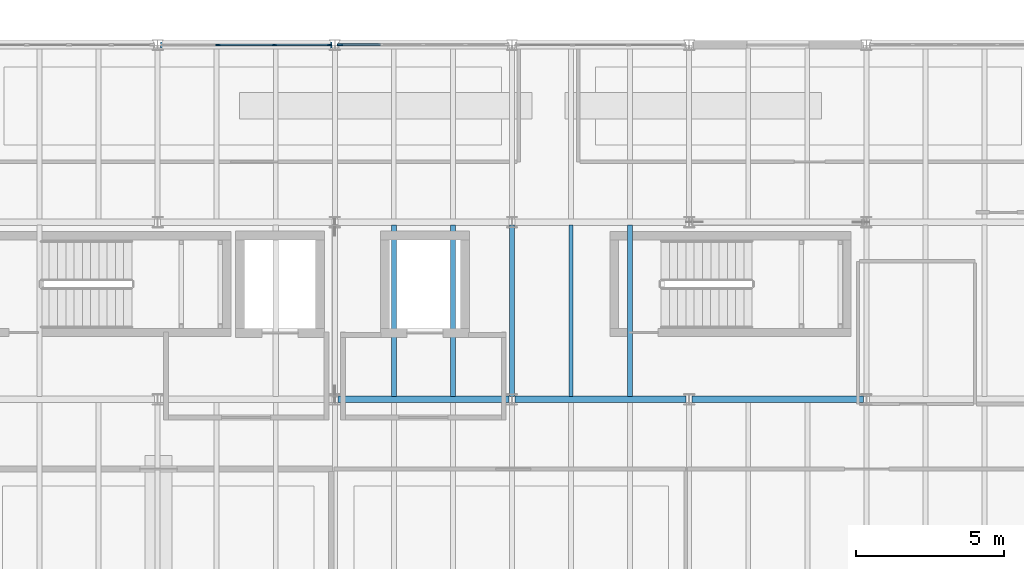
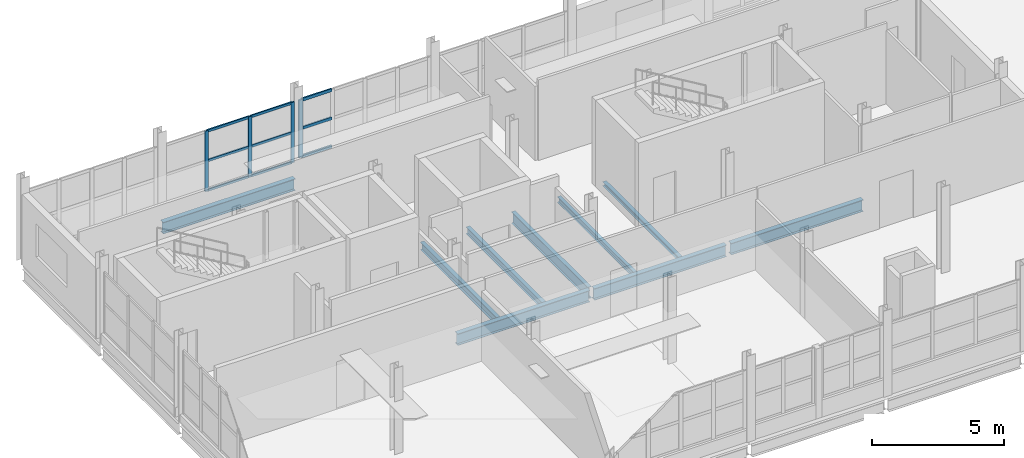
# One storey, part 18 of 45: 13 members, 9 beams, 2 elements without a shape of their own.
"""IFC4 building model written with IfcOpenShell, lengths in metres."""

from ifc_helpers import new_model, si_unit, direction, frame, origin, origin_2d, place, context, subcontext, project, spatial, rectangle, i_section, extrude, material, material_profile, profile_set, type_object, element, aggregate, save


model = new_model("IFC4")

# Units and contexts
model_context = context("Model", 3, precision=1e-05, world=origin(), true_north=direction((0.0, 1.0)))
body_context = subcontext(model_context, "Body", "Model", "MODEL_VIEW")
ifc_project = project(units=[si_unit("LENGTHUNIT", "METRE"), si_unit("AREAUNIT", "SQUARE_METRE"), si_unit("VOLUMEUNIT", "CUBIC_METRE"), si_unit("PLANEANGLEUNIT", "RADIAN"), si_unit("MASSUNIT", "GRAM", prefix="KILO")], contexts=[model_context])

# Site, building, storey
site_placement = place(None, origin())
site = spatial("IfcSite", under=ifc_project, at=site_placement, CompositionType="ELEMENT")
building_placement = place(site_placement, origin())
building = spatial("IfcBuilding", under=site, at=building_placement, Name="Siltcreek Boulevard Central Fire Station", CompositionType="ELEMENT")
storey_placement = place(building_placement, frame((0.0, 0.0, 10.0)))
storey = spatial("IfcBuildingStorey", under=building, at=storey_placement, Name="L03", CompositionType="ELEMENT", Elevation=10.0)

# Beams
ifc_material_1 = material(Name="Structural steel ASTM A992 Gr50", Category="steel")
ifc_material_profile_1 = material_profile(ifc_material_1, i_section(OverallWidth=0.2109375, OverallDepth=0.5390625, WebThickness=0.01171875, FlangeThickness=0.018798828125, at=origin_2d()), Name="W530X109")
ifc_profile_set_1 = profile_set([ifc_material_profile_1], Name="Structural steel ASTM A992 Gr50")
beam_type_1 = type_object("IfcBeamType", Name="BM_W530X109", PredefinedType="BEAM", material=ifc_profile_set_1)
for number, where, z_axis, x_axis, name in (
    (1, (136.300048828125, 100.199951171875, -0.549560546875), (1.0, 0.0, 0.0), (0.0, 1.0, 0.0), "L03 primary steel girder GX-0416"),
    (2, (142.300048828125, 100.199951171875, -0.549560546875), (1.0, 0.0, 0.0), (0.0, 1.0, 0.0), "L03 primary steel girder GX-0417"),
    (3, (148.300048828125, 100.199951171875, -0.549560546875), (1.0, 0.0, 0.0), (0.0, 1.0, 0.0), "L03 primary steel girder GX-0418"),
    (4, (130.300048828125, 112.199951171875, -0.549560546875), (1.0, 0.0, 0.0), (0.0, 1.0, 0.0), "L03 primary steel girder GX-0429"),
):
    element("IfcBeam", number, at=place(storey_placement, frame(where, z_axis=z_axis, x_axis=x_axis)), inside=storey, type_object=beam_type_1, Name=name, PredefinedType="BEAM", context=body_context, shape_type="SweptSolid", body=[
        extrude(i_section(OverallWidth=0.2109375, OverallDepth=0.5390625, WebThickness=0.01171875, FlangeThickness=0.018798828125, at=origin_2d()), origin(), (0.0, 0.0, 1.0), 5.800048828125),
    ])
ifc_material_profile_2 = material_profile(ifc_material_1, i_section(OverallWidth=0.166015625, OverallDepth=0.534912109375, WebThickness=0.01025390625, FlangeThickness=0.0166015625, at=origin_2d()), Name="W530X85")
ifc_profile_set_2 = profile_set([ifc_material_profile_2], Name="Structural steel ASTM A992 Gr50")
beam_type_2 = type_object("IfcBeamType", Name="BM_W530X85", PredefinedType="BEAM", material=ifc_profile_set_2)
beam_1_placement = place(storey_placement, frame((142.199951171875, 100.300048828125, -0.547607421875), z_axis=(0.0, 1.0, 0.0), x_axis=(-1.0, 0.0, 0.0)))
element("IfcBeam", 5, at=beam_1_placement, inside=storey, type_object=beam_type_2, Name="L03 primary steel girder GY-0448", PredefinedType="BEAM", context=body_context, shape_type="SweptSolid", body=[
    extrude(i_section(OverallWidth=0.166015625, OverallDepth=0.534912109375, WebThickness=0.01025390625, FlangeThickness=0.0166015625, at=origin_2d()), origin(), (0.0, 0.0, 1.0), 5.800048828125),
])

# Curtain wall, members
ifc_material_2 = material(Name="Anodized aluminum and low-E insulated glazing", Category="aluminium")
curtain_wall_type_1 = type_object("IfcCurtainWallType", Name="CW_SYS_08", PredefinedType="USERDEFINED", material=ifc_material_2)
curtain_wall_1_placement = place(storey_placement, origin())
curtain_wall_1 = element("IfcCurtainWall", 6, at=curtain_wall_1_placement, inside=storey, type_object=curtain_wall_type_1, Name="L03 V5 unitised curtain wall CW-157", ObjectType="CURTAIN WALL", PredefinedType="USERDEFINED")
ifc_material_3 = material(Name="Anodized 6063-T6 aluminum framing", Category="aluminium")
ifc_material_profile_3 = material_profile(ifc_material_3, rectangle(XDim=0.06005859375, YDim=0.14990234375, at=origin_2d()), Name="MULL60X150")
ifc_profile_set_3 = profile_set([ifc_material_profile_3], Name="Anodized 6063-T6 aluminum framing")
member_type_1 = type_object("IfcMemberType", Name="CWM_60X150", PredefinedType="MULLION", material=ifc_profile_set_3)
member_1_placement = place(storey_placement, frame((136.02490234375, 112.199951171875, 0.43994140625), z_axis=(0.0, 0.0, 1.0), x_axis=(0.0, -1.0, 0.0)))
member_1 = element("IfcMember", 7, at=member_1_placement, type_object=member_type_1, Name="CW-157 mullion 1", PredefinedType="MULLION", context=body_context, shape_type="SweptSolid", body=[
    extrude(rectangle(XDim=0.06005859375, YDim=0.14990234375, at=origin_2d()), origin(), (0.0, 0.0, 1.0), 2.80908203125),
])
member_2_placement = place(storey_placement, frame((134.151611328125, 112.199951171875, 0.43994140625), z_axis=(0.0, 0.0, 1.0), x_axis=(0.0, -1.0, 0.0)))
member_2 = element("IfcMember", 8, at=member_2_placement, type_object=member_type_1, Name="CW-157 mullion 2", PredefinedType="MULLION", context=body_context, shape_type="SweptSolid", body=[
    extrude(rectangle(XDim=0.06005859375, YDim=0.14990234375, at=origin_2d()), origin(), (0.0, 0.0, 1.0), 2.80908203125),
])
member_3_placement = place(storey_placement, frame((132.248291015625, 112.199951171875, 0.43994140625), z_axis=(0.0, 0.0, 1.0), x_axis=(0.0, -1.0, 0.0)))
member_3 = element("IfcMember", 9, at=member_3_placement, type_object=member_type_1, Name="CW-157 mullion 3", PredefinedType="MULLION", context=body_context, shape_type="SweptSolid", body=[
    extrude(rectangle(XDim=0.06005859375, YDim=0.14990234375, at=origin_2d()), origin(), (0.0, 0.0, 1.0), 2.80908203125),
])

# Curtain wall, member
curtain_wall_type_2 = type_object("IfcCurtainWallType", Name="CW_SYS_09", PredefinedType="USERDEFINED", material=ifc_material_2)
curtain_wall_2_placement = place(storey_placement, origin())
curtain_wall_2 = element("IfcCurtainWall", 10, at=curtain_wall_2_placement, inside=storey, type_object=curtain_wall_type_2, Name="L03 V5 unitised curtain wall CW-158", ObjectType="CURTAIN WALL", PredefinedType="USERDEFINED")
ifc_material_profile_4 = material_profile(ifc_material_3, rectangle(XDim=0.06494140625, YDim=0.175048828125, at=origin_2d()), Name="MULL65X175")
ifc_profile_set_4 = profile_set([ifc_material_profile_4], Name="Anodized 6063-T6 aluminum framing")
member_type_2 = type_object("IfcMemberType", Name="CWM_65X175", PredefinedType="MULLION", material=ifc_profile_set_4)
member_4_placement = place(storey_placement, frame((136.37744140625, 112.199951171875, 0.56005859375), z_axis=(0.0, 0.0, 1.0), x_axis=(0.0, -1.0, 0.0)))
member_4 = element("IfcMember", 11, at=member_4_placement, type_object=member_type_2, Name="CW-158 mullion 5", PredefinedType="MULLION", context=body_context, shape_type="SweptSolid", body=[
    extrude(rectangle(XDim=0.06494140625, YDim=0.175048828125, at=origin_2d()), origin(), (0.0, 0.0, 1.0), 2.68896484375),
])

# Member
ifc_material_profile_5 = material_profile(ifc_material_3, rectangle(XDim=0.06005859375, YDim=0.114990234375, at=origin_2d()), Name="TRAN60X115")
ifc_profile_set_5 = profile_set([ifc_material_profile_5], Name="Anodized 6063-T6 aluminum framing")
member_type_3 = type_object("IfcMemberType", Name="CWT_60X115", PredefinedType="USERDEFINED", material=ifc_profile_set_5)
member_5_placement = place(storey_placement, frame((135.9951171875, 112.199951171875, 0.469970703125), z_axis=(-1.0, 0.0, 0.0), x_axis=(0.0, -1.0, 0.0)))
member_5 = element("IfcMember", 12, at=member_5_placement, type_object=member_type_3, Name="CW-157 transom 1.1", ObjectType="TRANSOM", PredefinedType="USERDEFINED", context=body_context, shape_type="SweptSolid", body=[
    extrude(rectangle(XDim=0.06005859375, YDim=0.114990234375, at=origin_2d()), origin(), (0.0, 0.0, 1.0), 1.8134765625),
])

member_6_placement = place(storey_placement, frame((135.9951171875, 112.199951171875, 1.844482421875), z_axis=(-1.0, 0.0, 0.0), x_axis=(0.0, -1.0, 0.0)))
member_6 = element("IfcMember", 13, at=member_6_placement, type_object=member_type_3, Name="CW-157 transom 1.2", ObjectType="TRANSOM", PredefinedType="USERDEFINED", context=body_context, shape_type="SweptSolid", body=[
    extrude(rectangle(XDim=0.06005859375, YDim=0.114990234375, at=origin_2d()), origin(), (0.0, 0.0, 1.0), 1.8134765625),
])

member_7_placement = place(storey_placement, frame((135.9951171875, 112.199951171875, 3.218994140625), z_axis=(-1.0, 0.0, 0.0), x_axis=(0.0, -1.0, 0.0)))
member_7 = element("IfcMember", 14, at=member_7_placement, type_object=member_type_3, Name="CW-157 transom 1.3", ObjectType="TRANSOM", PredefinedType="USERDEFINED", context=body_context, shape_type="SweptSolid", body=[
    extrude(rectangle(XDim=0.06005859375, YDim=0.114990234375, at=origin_2d()), origin(), (0.0, 0.0, 1.0), 1.8134765625),
])

member_8_placement = place(storey_placement, frame((134.12158203125, 112.199951171875, 0.469970703125), z_axis=(-1.0, 0.0, 0.0), x_axis=(0.0, -1.0, 0.0)))
member_8 = element("IfcMember", 15, at=member_8_placement, type_object=member_type_3, Name="CW-157 transom 2.1", ObjectType="TRANSOM", PredefinedType="USERDEFINED", context=body_context, shape_type="SweptSolid", body=[
    extrude(rectangle(XDim=0.06005859375, YDim=0.114990234375, at=origin_2d()), origin(), (0.0, 0.0, 1.0), 1.84326171875),
])

member_9_placement = place(storey_placement, frame((134.12158203125, 112.199951171875, 1.844482421875), z_axis=(-1.0, 0.0, 0.0), x_axis=(0.0, -1.0, 0.0)))
member_9 = element("IfcMember", 16, at=member_9_placement, type_object=member_type_3, Name="CW-157 transom 2.2", ObjectType="TRANSOM", PredefinedType="USERDEFINED", context=body_context, shape_type="SweptSolid", body=[
    extrude(rectangle(XDim=0.06005859375, YDim=0.114990234375, at=origin_2d()), origin(), (0.0, 0.0, 1.0), 1.84326171875),
])

member_10_placement = place(storey_placement, frame((134.12158203125, 112.199951171875, 3.218994140625), z_axis=(-1.0, 0.0, 0.0), x_axis=(0.0, -1.0, 0.0)))
member_10 = element("IfcMember", 17, at=member_10_placement, type_object=member_type_3, Name="CW-157 transom 2.3", ObjectType="TRANSOM", PredefinedType="USERDEFINED", context=body_context, shape_type="SweptSolid", body=[
    extrude(rectangle(XDim=0.06005859375, YDim=0.114990234375, at=origin_2d()), origin(), (0.0, 0.0, 1.0), 1.84326171875),
])

aggregate(curtain_wall_1, [member_1, member_2, member_3, member_5, member_6, member_7, member_8, member_9, member_10])

ifc_material_profile_6 = material_profile(ifc_material_3, rectangle(XDim=0.06494140625, YDim=0.135009765625, at=origin_2d()), Name="TRAN65X135")
ifc_profile_set_6 = profile_set([ifc_material_profile_6], Name="Anodized 6063-T6 aluminum framing")
member_type_4 = type_object("IfcMemberType", Name="CWT_65X135", PredefinedType="USERDEFINED", material=ifc_profile_set_6)
member_11_placement = place(storey_placement, frame((137.739990234375, 112.199951171875, 0.592529296875), z_axis=(-1.0, 0.0, 0.0), x_axis=(0.0, -1.0, 0.0)))
member_11 = element("IfcMember", 18, at=member_11_placement, type_object=member_type_4, Name="CW-158 transom 4.1", ObjectType="TRANSOM", PredefinedType="USERDEFINED", context=body_context, shape_type="SweptSolid", body=[
    extrude(rectangle(XDim=0.06494140625, YDim=0.135009765625, at=origin_2d()), origin(), (0.0, 0.0, 1.0), 1.330078125),
])

member_12_placement = place(storey_placement, frame((137.739990234375, 112.199951171875, 1.904541015625), z_axis=(-1.0, 0.0, 0.0), x_axis=(0.0, -1.0, 0.0)))
member_12 = element("IfcMember", 19, at=member_12_placement, type_object=member_type_4, Name="CW-158 transom 4.2", ObjectType="TRANSOM", PredefinedType="USERDEFINED", context=body_context, shape_type="SweptSolid", body=[
    extrude(rectangle(XDim=0.06494140625, YDim=0.135009765625, at=origin_2d()), origin(), (0.0, 0.0, 1.0), 1.330078125),
])

member_13_placement = place(storey_placement, frame((137.739990234375, 112.199951171875, 3.216552734375), z_axis=(-1.0, 0.0, 0.0), x_axis=(0.0, -1.0, 0.0)))
member_13 = element("IfcMember", 20, at=member_13_placement, type_object=member_type_4, Name="CW-158 transom 4.3", ObjectType="TRANSOM", PredefinedType="USERDEFINED", context=body_context, shape_type="SweptSolid", body=[
    extrude(rectangle(XDim=0.06494140625, YDim=0.135009765625, at=origin_2d()), origin(), (0.0, 0.0, 1.0), 1.330078125),
])

aggregate(curtain_wall_2, [member_4, member_11, member_12, member_13])

# Beams
ifc_material_profile_7 = material_profile(ifc_material_1, i_section(OverallWidth=0.1650390625, OverallDepth=0.200927734375, WebThickness=0.006103515625, FlangeThickness=0.01025390625, at=origin_2d()), Name="W200X36")
ifc_profile_set_7 = profile_set([ifc_material_profile_7], Name="Structural steel ASTM A992 Gr50")
beam_type_3 = type_object("IfcBeamType", Name="JST_W200X36", PredefinedType="JOIST", material=ifc_profile_set_7)
beam_2_placement = place(storey_placement, frame((146.199951171875, 100.303466796875, -0.380615234375), z_axis=(0.0, 1.0, 0.0), x_axis=(-1.0, 0.0, 0.0)))
element("IfcBeam", 21, at=beam_2_placement, inside=storey, type_object=beam_type_3, Name="L03 secondary steel floor joist 0386", PredefinedType="JOIST", context=body_context, shape_type="SweptSolid", body=[
    extrude(i_section(OverallWidth=0.1650390625, OverallDepth=0.200927734375, WebThickness=0.006103515625, FlangeThickness=0.01025390625, at=origin_2d()), origin(), (0.0, 0.0, 1.0), 5.79296875),
])
ifc_material_profile_8 = material_profile(ifc_material_1, i_section(OverallWidth=0.14697265625, OverallDepth=0.261962890625, WebThickness=0.006591796875, FlangeThickness=0.01123046875, at=origin_2d()), Name="W250X39")
ifc_profile_set_8 = profile_set([ifc_material_profile_8], Name="Structural steel ASTM A992 Gr50")
beam_type_4 = type_object("IfcBeamType", Name="JST_W250X39", PredefinedType="JOIST", material=ifc_profile_set_8)
beam_3_placement = place(storey_placement, frame((144.199951171875, 100.303466796875, -0.410888671875), z_axis=(0.0, 1.0, 0.0), x_axis=(-1.0, 0.0, 0.0)))
element("IfcBeam", 22, at=beam_3_placement, inside=storey, type_object=beam_type_4, Name="L03 secondary steel floor joist 0385", PredefinedType="JOIST", context=body_context, shape_type="SweptSolid", body=[
    extrude(i_section(OverallWidth=0.14697265625, OverallDepth=0.261962890625, WebThickness=0.006591796875, FlangeThickness=0.01123046875, at=origin_2d()), origin(), (0.0, 0.0, 1.0), 5.79296875),
])
ifc_material_profile_9 = material_profile(ifc_material_1, i_section(OverallWidth=0.166015625, OverallDepth=0.31298828125, WebThickness=0.006591796875, FlangeThickness=0.01123046875, at=origin_2d()), Name="W310X45")
ifc_profile_set_9 = profile_set([ifc_material_profile_9], Name="Structural steel ASTM A992 Gr50")
beam_type_5 = type_object("IfcBeamType", Name="JST_W310X45", PredefinedType="JOIST", material=ifc_profile_set_9)
beam_4_placement = place(storey_placement, frame((140.199951171875, 100.303466796875, -0.4365234375), z_axis=(0.0, 1.0, 0.0), x_axis=(-1.0, 0.0, 0.0)))
element("IfcBeam", 23, at=beam_4_placement, inside=storey, type_object=beam_type_5, Name="L03 secondary steel floor joist 0384", PredefinedType="JOIST", context=body_context, shape_type="SweptSolid", body=[
    extrude(i_section(OverallWidth=0.166015625, OverallDepth=0.31298828125, WebThickness=0.006591796875, FlangeThickness=0.01123046875, at=origin_2d()), origin(), (0.0, 0.0, 1.0), 5.79296875),
])
ifc_material_profile_10 = material_profile(ifc_material_1, i_section(OverallWidth=0.172119140625, OverallDepth=0.35791015625, WebThickness=0.0078125, FlangeThickness=0.01318359375, at=origin_2d()), Name="W360X57")
ifc_profile_set_10 = profile_set([ifc_material_profile_10], Name="Structural steel ASTM A992 Gr50")
beam_type_6 = type_object("IfcBeamType", Name="JST_W360X57", PredefinedType="JOIST", material=ifc_profile_set_10)
beam_5_placement = place(storey_placement, frame((138.199951171875, 100.303466796875, -0.458984375), z_axis=(0.0, 1.0, 0.0), x_axis=(-1.0, 0.0, 0.0)))
element("IfcBeam", 24, at=beam_5_placement, inside=storey, type_object=beam_type_6, Name="L03 secondary steel floor joist 0383", PredefinedType="JOIST", context=body_context, shape_type="SweptSolid", body=[
    extrude(i_section(OverallWidth=0.172119140625, OverallDepth=0.35791015625, WebThickness=0.0078125, FlangeThickness=0.01318359375, at=origin_2d()), origin(), (0.0, 0.0, 1.0), 5.79296875),
])

save(model, "model.ifc")
